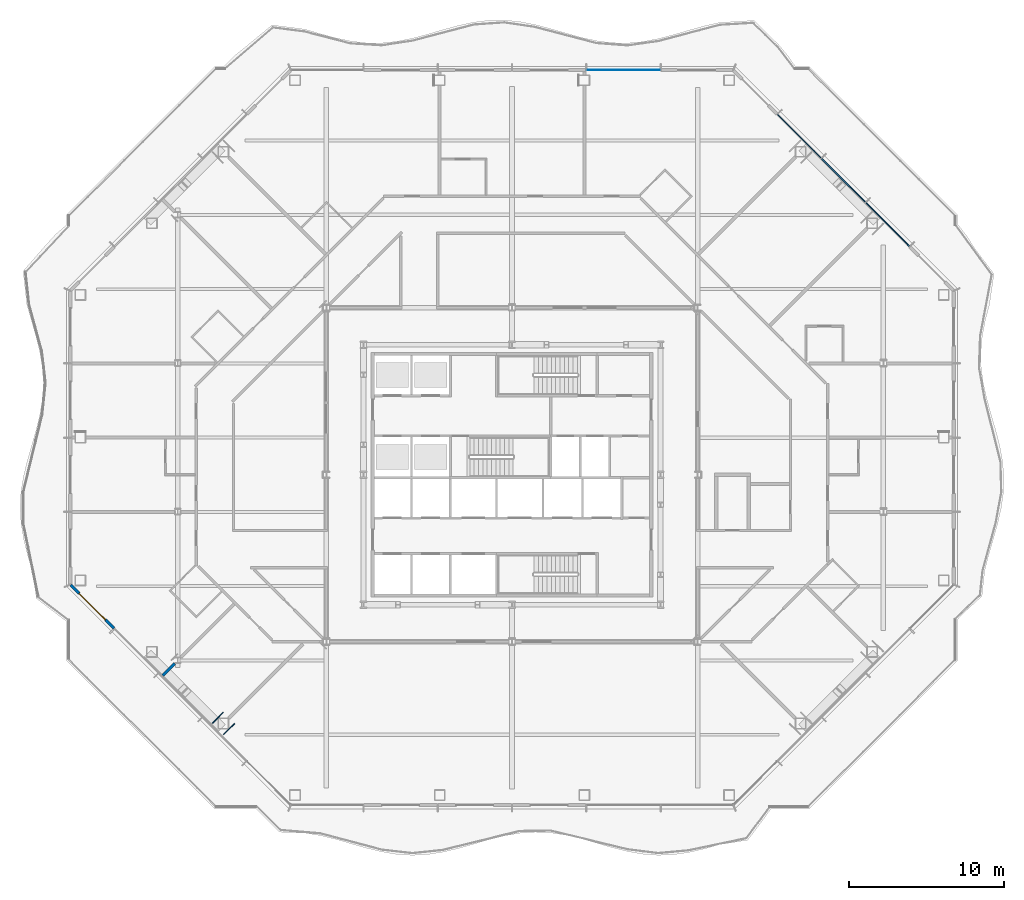
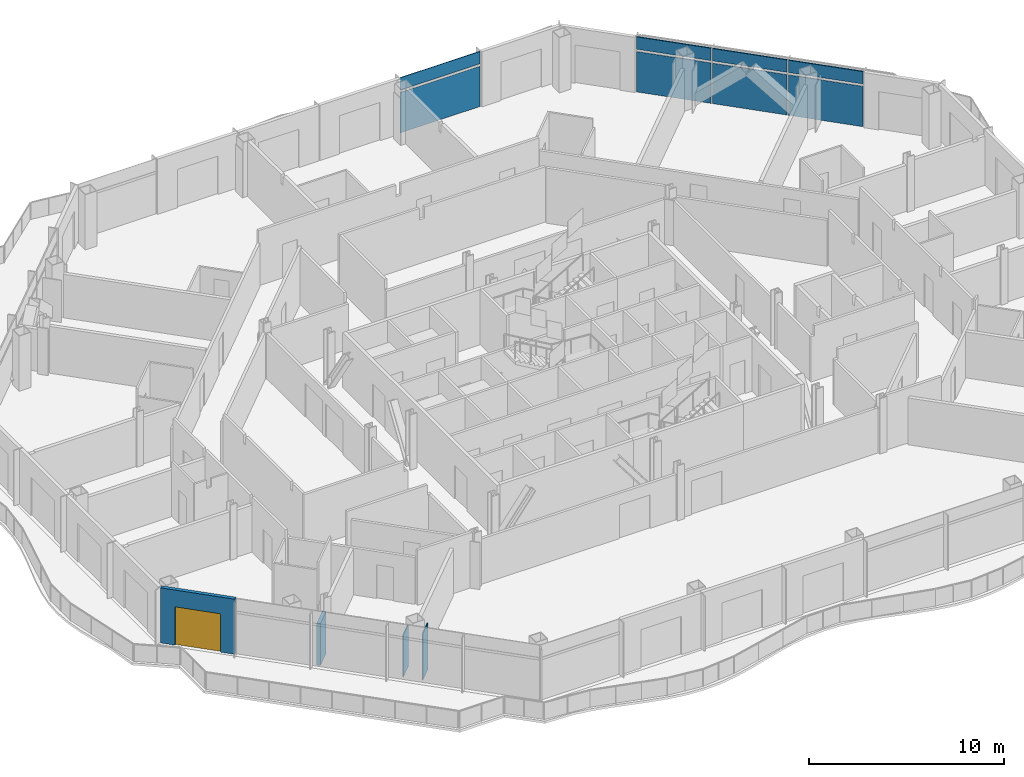
# One storey, part 8 of 24: 8 plates, 4 walls, 1 door, 1 opening, 2 elements without a shape of their own.
"""IFC4 building model written with IfcOpenShell, lengths in metres."""

from ifc_helpers import new_model, si_unit, direction, frame, frame_2d, origin, origin_2d, place, context, subcontext, project, spatial, rectangle, extrude, material, layer, layer_set, type_object, element, fill, aggregate, save


model = new_model("IFC4")

# Units and contexts
model_context = context("Model", 3, precision=1e-05, world=origin(), true_north=direction((0.0, 1.0)))
body_context = subcontext(model_context, "Body", "Model", "MODEL_VIEW")
ifc_project = project(units=[si_unit("LENGTHUNIT", "METRE"), si_unit("AREAUNIT", "SQUARE_METRE"), si_unit("VOLUMEUNIT", "CUBIC_METRE"), si_unit("PLANEANGLEUNIT", "RADIAN"), si_unit("MASSUNIT", "GRAM", prefix="KILO")], contexts=[model_context])

# Site, building, storey
site_placement = place(None, origin())
site = spatial("IfcSite", under=ifc_project, at=site_placement, CompositionType="ELEMENT")
building_placement = place(site_placement, origin())
building = spatial("IfcBuilding", under=site, at=building_placement, Name="Cairn Pilgrim Tower", CompositionType="ELEMENT")
storey_placement = place(building_placement, frame((0.0, 0.0, 125.39990234375)))
storey = spatial("IfcBuildingStorey", under=building, at=storey_placement, Name="L30", CompositionType="ELEMENT", Elevation=125.39990234375)

# Curtain wall, plates
ifc_material_1 = material(Name="Aluminium alloy 6063-T6 bronze anodised with Bronze tinted laminated low-E glass 8+16+8.8", Category="aluminium")
curtain_wall_type = type_object("IfcCurtainWallType", Name="FULL HEIGHT CURTAIN WALL", PredefinedType="NOTDEFINED", material=ifc_material_1)
curtain_wall_1_placement = place(storey_placement, origin())
curtain_wall_1 = element("IfcCurtainWall", 1, at=curtain_wall_1_placement, inside=storey, type_object=curtain_wall_type, Name="Full Height Curtain Wall NE", PredefinedType="NOTDEFINED")
ifc_material_2 = material(Name="Bronze anodised aluminium spandrel panel with mineral wool insulation", Category="aluminium")
ifc_layer_1 = layer(ifc_material_2, 0.06005859375)
ifc_layer_set_1 = layer_set([ifc_layer_1], Name="SPANDREL PANEL 3972x2525")
plate_type_1 = type_object("IfcPlateType", Name="SPANDREL PANEL 3972x2525", PredefinedType="CURTAIN_PANEL", material=ifc_layer_set_1)
plate_1_placement = place(storey_placement, frame((31.473876953125, 18.572509765625, 0.000244140625), z_axis=(0.0, 0.0, 1.0), x_axis=(-0.707106781187, 0.707106781187, 0.0)))
plate_1 = element("IfcPlate", 2, at=plate_1_placement, type_object=plate_type_1, Name="Spandrel Panel NE2-1", PredefinedType="CURTAIN_PANEL", context=body_context, shape_type="SweptSolid", body=[
    extrude(rectangle(XDim=3.971435546875, YDim=0.06005859375, at=origin_2d()), origin(), (0.0, 0.0, 1.0), 2.52490234375),
])
plate_2_placement = place(storey_placement, frame((28.623291015625, 21.42333984375, 0.000244140625), z_axis=(0.0, 0.0, 1.0), x_axis=(-0.707106781187, 0.707106781187, 0.0)))
plate_2 = element("IfcPlate", 3, at=plate_2_placement, type_object=plate_type_1, Name="Spandrel Panel NE3-1", PredefinedType="CURTAIN_PANEL", context=body_context, shape_type="SweptSolid", body=[
    extrude(rectangle(XDim=3.971435546875, YDim=0.06005859375, at=origin_2d()), origin(), (0.0, 0.0, 1.0), 2.52490234375),
])
plate_3_placement = place(storey_placement, frame((25.7724609375, 24.27392578125, 0.000244140625), z_axis=(0.0, 0.0, 1.0), x_axis=(-0.707106781187, 0.707106781187, 0.0)))
plate_3 = element("IfcPlate", 4, at=plate_3_placement, type_object=plate_type_1, Name="Spandrel Panel NE4-1", PredefinedType="CURTAIN_PANEL", context=body_context, shape_type="SweptSolid", body=[
    extrude(rectangle(XDim=3.971435546875, YDim=0.06005859375, at=origin_2d()), origin(), (0.0, 0.0, 1.0), 2.52490234375),
])
ifc_layer_2 = layer(ifc_material_2, 0.06005859375)
ifc_layer_set_2 = layer_set([ifc_layer_2], Name="SPANDREL PANEL 3972x775")
plate_type_2 = type_object("IfcPlateType", Name="SPANDREL PANEL 3972x775", PredefinedType="CURTAIN_PANEL", material=ifc_layer_set_2)
plate_4_placement = place(storey_placement, frame((31.473876953125, 18.572509765625, 2.675048828125), z_axis=(0.0, 0.0, 1.0), x_axis=(-0.707106781187, 0.707106781187, 0.0)))
plate_4 = element("IfcPlate", 5, at=plate_4_placement, type_object=plate_type_2, Name="Spandrel Panel NE2-2", PredefinedType="CURTAIN_PANEL", context=body_context, shape_type="SweptSolid", body=[
    extrude(rectangle(XDim=3.971435546875, YDim=0.06005859375, at=origin_2d()), origin(), (0.0, 0.0, 1.0), 0.77490234375),
])
plate_5_placement = place(storey_placement, frame((28.623291015625, 21.42333984375, 2.675048828125), z_axis=(0.0, 0.0, 1.0), x_axis=(-0.707106781187, 0.707106781187, 0.0)))
plate_5 = element("IfcPlate", 6, at=plate_5_placement, type_object=plate_type_2, Name="Spandrel Panel NE3-2", PredefinedType="CURTAIN_PANEL", context=body_context, shape_type="SweptSolid", body=[
    extrude(rectangle(XDim=3.971435546875, YDim=0.06005859375, at=origin_2d()), origin(), (0.0, 0.0, 1.0), 0.77490234375),
])
plate_6_placement = place(storey_placement, frame((25.7724609375, 24.27392578125, 2.675048828125), z_axis=(0.0, 0.0, 1.0), x_axis=(-0.707106781187, 0.707106781187, 0.0)))
plate_6 = element("IfcPlate", 7, at=plate_6_placement, type_object=plate_type_2, Name="Spandrel Panel NE4-2", PredefinedType="CURTAIN_PANEL", context=body_context, shape_type="SweptSolid", body=[
    extrude(rectangle(XDim=3.971435546875, YDim=0.06005859375, at=origin_2d()), origin(), (0.0, 0.0, 1.0), 0.77490234375),
])
aggregate(curtain_wall_1, [plate_1, plate_4, plate_2, plate_5, plate_3, plate_6])

curtain_wall_2_placement = place(storey_placement, origin())
curtain_wall_2 = element("IfcCurtainWall", 8, at=curtain_wall_2_placement, inside=storey, type_object=curtain_wall_type, Name="Full Height Curtain Wall N", PredefinedType="NOTDEFINED")
ifc_material_3 = material(Name="Bronze tinted laminated low-E glass 8+16+8.8", Category="glass")
ifc_layer_3 = layer(ifc_material_3, 0.033935546875)
ifc_layer_set_3 = layer_set([ifc_layer_3], Name="VISION GLAZING 4740x2525")
plate_type_3 = type_object("IfcPlateType", Name="VISION GLAZING 4740x2525", PredefinedType="CURTAIN_PANEL", material=ifc_layer_set_3)
plate_7_placement = place(storey_placement, frame((14.39990234375, 28.550048828125, 0.000244140625), z_axis=(0.0, 0.0, 1.0), x_axis=(-1.0, 0.0, 0.0)))
plate_7 = element("IfcPlate", 9, at=plate_7_placement, type_object=plate_type_3, Name="Vision Glazing N2-1", PredefinedType="CURTAIN_PANEL", context=body_context, shape_type="SweptSolid", body=[
    extrude(rectangle(XDim=4.739990234375, YDim=0.033935546875, at=origin_2d()), origin(), (0.0, 0.0, 1.0), 2.52490234375),
])
ifc_layer_4 = layer(ifc_material_3, 0.033935546875)
ifc_layer_set_4 = layer_set([ifc_layer_4], Name="VISION GLAZING 4740x775")
plate_type_4 = type_object("IfcPlateType", Name="VISION GLAZING 4740x775", PredefinedType="CURTAIN_PANEL", material=ifc_layer_set_4)
plate_8_placement = place(storey_placement, frame((14.39990234375, 28.550048828125, 2.675048828125), z_axis=(0.0, 0.0, 1.0), x_axis=(-1.0, 0.0, 0.0)))
plate_8 = element("IfcPlate", 10, at=plate_8_placement, type_object=plate_type_4, Name="Vision Glazing N2-2", PredefinedType="CURTAIN_PANEL", context=body_context, shape_type="SweptSolid", body=[
    extrude(rectangle(XDim=4.739990234375, YDim=0.033935546875, at=origin_2d()), origin(), (0.0, 0.0, 1.0), 0.77490234375),
])
aggregate(curtain_wall_2, [plate_7, plate_8])

# Wall, opening, door
ifc_material_4 = material(Name="Bronze anodised aluminium insulated sandwich panel with mineral wool fill", Category="aluminium")
ifc_layer_5 = layer(ifc_material_4, 0.199951171875)
ifc_layer_set_5 = layer_set([ifc_layer_5], Name="BRONZE INFILL FRAME WALL 200")
wall_type_1 = type_object("IfcWallType", Name="BRONZE INFILL FRAME WALL 200", PredefinedType="NOTDEFINED", material=ifc_layer_set_5)
wall_1_placement = place(storey_placement, frame((-21.32177734375, -4.724609375, 0.0), z_axis=(0.0, 0.0, 1.0), x_axis=(0.707106781187, -0.707106781187, 0.0)))
wall_1 = element("IfcWall", 11, at=wall_1_placement, inside=storey, type_object=wall_type_1, Name="Bronze infill frame wall IW-SW1", PredefinedType="NOTDEFINED", context=body_context, shape_type="SweptSolid", body=[
    extrude(rectangle(XDim=3.961669921875, YDim=0.199951171875, at=frame_2d((1.98095703125, 0.0))), origin(), (0.0, 0.0, 1.0), 3.4501953125),
])
opening_placement = place(wall_1_placement, frame((0.775390625, 0.0, 0.0)))
opening = element("IfcOpeningElement", 12, at=opening_placement, cuts=wall_1, Name="Opening 3015B2", PredefinedType="OPENING", context=body_context, shape_type="SweptSolid", body=[
    extrude(rectangle(XDim=2.39990234375, YDim=2.39990234375, at=frame_2d((1.199951171875, 1.199951171875))), frame((0.0, 0.10986328125, 0.0), z_axis=(0.0, -1.0, 0.0), x_axis=(1.0, 0.0, 0.0)), (0.0, 0.0, 1.0), 0.219970703125),
])
ifc_material_5 = material(Name="Bronze anodised aluminium frame with tinted low-E glass", Category="aluminium")
door_type = type_object("IfcDoorType", Name="BALCONY SLIDING DOOR 2400x2400", OperationType="DOUBLE_DOOR_SLIDING", PredefinedType="DOOR", material=ifc_material_5)
door_placement = place(opening_placement, origin())
door = element("IfcDoor", 13, at=door_placement, inside=storey, type_object=door_type, Name="Balcony sliding door 3015B2", OperationType="SINGLE_SWING_LEFT", OverallHeight=2.39990234375, OverallWidth=2.39990234375, PredefinedType="DOOR", context=body_context, shape_type="SweptSolid", body=[
    extrude(rectangle(XDim=2.39990234375, YDim=2.39990234375, at=frame_2d((1.199951171875, 1.199951171875))), frame((0.0, 0.02490234375, 0.0), z_axis=(0.0, -1.0, 0.0), x_axis=(1.0, 0.0, 0.0)), (0.0, 0.0, 1.0), 0.050048828125),
])
fill(opening, door)

# Walls
ifc_material_6 = material(Name="Gypsum partition")
ifc_layer_6 = layer(ifc_material_6, 0.050048828125)
ifc_layer_set_6 = layer_set([ifc_layer_6], Name="PARTITION 50 DRYWALL EI 60")
wall_type_2 = type_object("IfcWallType", Name="PARTITION 50 DRYWALL EI 60", PredefinedType="PARTITIONING", material=ifc_layer_set_6)
wall_2_placement = place(storey_placement, frame((-12.169189453125, -13.657958984375, 0.0), z_axis=(0.0, 0.0, 1.0), x_axis=(0.707106781187, 0.707106781187, 0.0)))
element("IfcWall", 14, at=wall_2_placement, inside=storey, type_object=wall_type_2, Name="COLUMN CASING WC01", PredefinedType="PARTITIONING", context=body_context, shape_type="SweptSolid", body=[
    extrude(rectangle(XDim=0.989990234375, YDim=0.050048828125, at=frame_2d((0.4951171875, 0.0))), origin(), (0.0, 0.0, 1.0), 2.630126953125),
])
wall_3_placement = place(storey_placement, frame((-11.433837890625, -14.393310546875, 0.0), z_axis=(0.0, 0.0, 1.0), x_axis=(0.707106781187, 0.707106781187, 0.0)))
element("IfcWall", 15, at=wall_3_placement, inside=storey, type_object=wall_type_2, Name="COLUMN CASING WC02", PredefinedType="PARTITIONING", context=body_context, shape_type="SweptSolid", body=[
    extrude(rectangle(XDim=0.989990234375, YDim=0.050048828125, at=frame_2d((0.4951171875, 0.0))), origin(), (0.0, 0.0, 1.0), 2.93017578125),
])
ifc_layer_7 = layer(ifc_material_6, 0.199951171875)
ifc_layer_set_7 = layer_set([ifc_layer_7], Name="SHAFT WALL 200 GYPSUM EI 60")
wall_type_3 = type_object("IfcWallType", Name="SHAFT WALL 200 GYPSUM EI 60", PredefinedType="PARTITIONING", material=ifc_layer_set_7)
wall_4_placement = place(storey_placement, frame((-15.380859375, -10.580810546875, 0.0), z_axis=(0.0, 0.0, 1.0), x_axis=(0.707217034054, 0.706996511125, 0.0)))
element("IfcWall", 16, at=wall_4_placement, inside=storey, type_object=wall_type_3, Name="PARTITION W003", PredefinedType="PARTITIONING", context=body_context, shape_type="SweptSolid", body=[
    extrude(rectangle(XDim=1.107177734375, YDim=0.199951171875, at=frame_2d((0.5537109375, 0.0))), origin(), (0.0, 0.0, 1.0), 2.630126953125),
])

save(model, "model.ifc")
